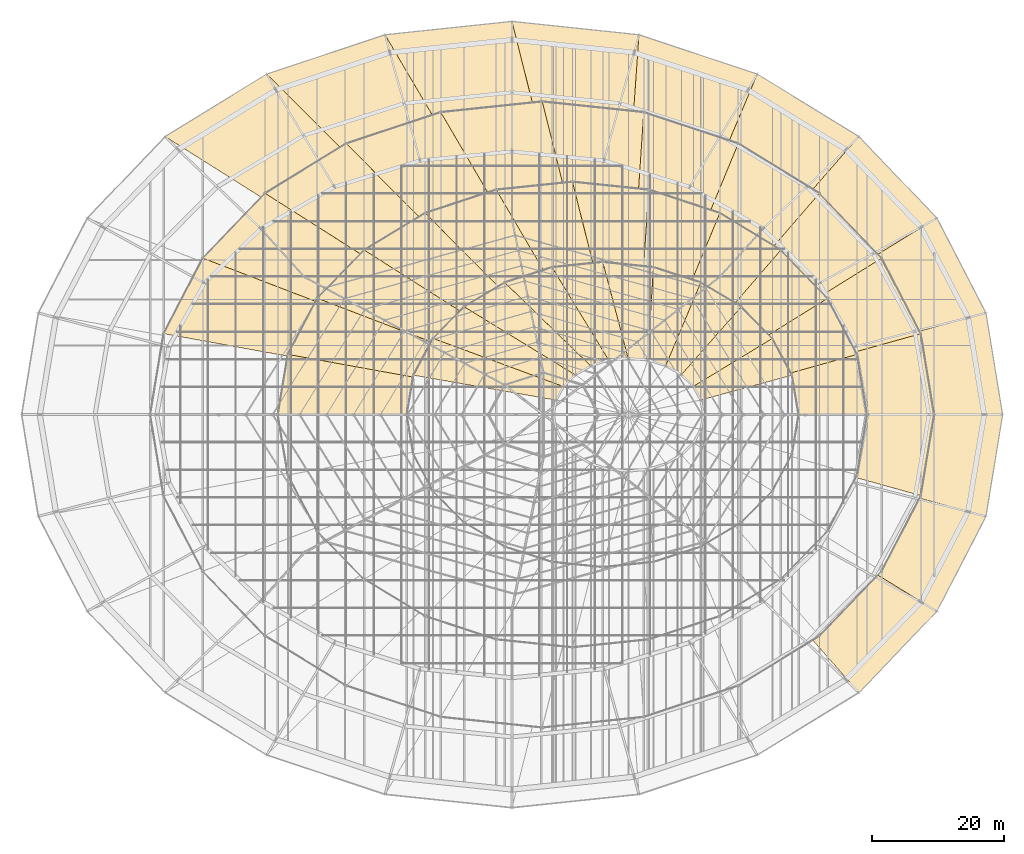
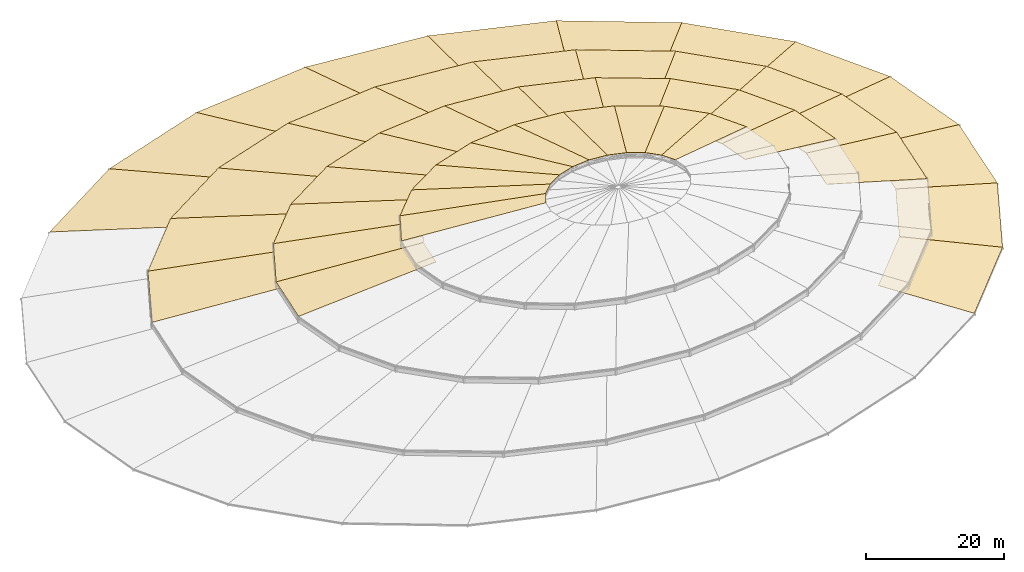
# One storey, part 184 of 184: 46 coverings.
"""IFC4 building model written with IfcOpenShell, lengths in metres."""

from ifc_helpers import new_model, si_unit, direction, frame, origin, place, context, subcontext, project, spatial, polyline, outline, extrude, material, layer, layer_set, type_object, element, save


model = new_model("IFC4")

# Units and contexts
model_context = context("Model", 3, precision=1e-05, world=origin(), true_north=direction((0.0, 1.0)))
body_context = subcontext(model_context, "Body", "Model", "MODEL_VIEW")
ifc_project = project(units=[si_unit("LENGTHUNIT", "METRE"), si_unit("AREAUNIT", "SQUARE_METRE"), si_unit("VOLUMEUNIT", "CUBIC_METRE"), si_unit("PLANEANGLEUNIT", "RADIAN"), si_unit("MASSUNIT", "GRAM", prefix="KILO")], contexts=[model_context])

# Site, building, storey
site_placement = place(None, origin())
site = spatial("IfcSite", under=ifc_project, at=site_placement, CompositionType="ELEMENT")
building_placement = place(site_placement, origin())
building = spatial("IfcBuilding", under=site, at=building_placement, Name="Kalgoora Escarpment Arena", CompositionType="ELEMENT")
storey_placement = place(building_placement, frame((0.0, 0.0, 27.60009765625)))
storey = spatial("IfcBuildingStorey", under=building, at=storey_placement, Name="Roof Level", CompositionType="ELEMENT", Elevation=27.60009765625)

# Coverings
ifc_material_1 = material(Name="Smooth white PTFE acoustic roofing membrane")
ifc_layer_1 = layer(ifc_material_1, 0.050048828125)
ifc_layer_set_1 = layer_set([ifc_layer_1], Name="COV-PETAL-RP1")
covering_type_1 = type_object("IfcCoveringType", Name="COV-PETAL-RP1", PredefinedType="ROOFING", material=ifc_layer_set_1)
covering_1_placement = place(storey_placement, frame((167.0, 64.0, -0.7900390625), z_axis=(0.104052314651, 0.017087649176, 0.994425023851), x_axis=(-0.162068544886, 0.986779502602, 1.87573e-06)))
element("IfcCovering", 1, at=covering_1_placement, inside=storey, type_object=covering_type_1, Name="Smooth white acoustic roofing petal RP1 sector 01", PredefinedType="ROOFING", context=body_context, shape_type="SweptSolid", body=[
    extrude(outline(polyline([(0.0, 0.0), (15.684654359568572, 8.881784197001252e-16), (14.072432195013098, 15.181256234020731), (2.4780373830079494, 15.172480236657861), (0.0, 0.0)])), origin(), (0.0, 0.0, -1.0), 0.050048828125),
])
covering_2_placement = place(storey_placement, frame((164.4580078125, 79.477294921875, -0.7900390625), z_axis=(0.095131878321, 0.049148417152, 0.994250651908), x_axis=(-0.459054017393, 0.888408357158, 6.845745e-06)))
element("IfcCovering", 2, at=covering_2_placement, inside=storey, type_object=covering_type_1, Name="Smooth white acoustic roofing petal RP1 sector 02", PredefinedType="ROOFING", context=body_context, shape_type="SweptSolid", body=[
    extrude(outline(polyline([(0.0, 0.0), (16.234215717783297, 0.0), (15.142960008564634, 14.96515976467239), (3.1315717002402303, 14.941885227706067), (0.0, 0.0)])), origin(), (0.0, 0.0, -1.0), 0.050048828125),
])
covering_3_placement = place(storey_placement, frame((157.005615234375, 93.89990234375, -0.7900390625), z_axis=(0.078795970233, 0.075421156627, 0.994033623278), x_axis=(-0.691494501752, 0.722381723212, 4.139784e-06)))
element("IfcCovering", 3, at=covering_3_placement, inside=storey, type_object=covering_type_1, Name="Smooth white acoustic roofing petal RP1 sector 03", PredefinedType="ROOFING", context=body_context, shape_type="SweptSolid", body=[
    extrude(outline(polyline([(0.0, 0.0), (17.144696152797664, 0.0), (15.86061643360061, 14.698320332189175), (3.1598406787318796, 14.668116870345637), (0.0, 0.0)])), origin(), (0.0, 0.0, -1.0), 0.050048828125),
])
covering_4_placement = place(storey_placement, frame((145.150146484375, 106.284912109375, -0.7900390625), z_axis=(0.057616347654, 0.093667513545, 0.993934984488), x_axis=(-0.851766365315, 0.523921806109, 1.221562e-06)))
element("IfcCovering", 4, at=covering_4_placement, inside=storey, type_object=covering_type_1, Name="Smooth white acoustic roofing petal RP1 sector 04", PredefinedType="ROOFING", context=body_context, shape_type="SweptSolid", body=[
    extrude(outline(polyline([(0.0, 0.0), (18.13900461113179, 1.7763568394002505e-15), (15.90731856282209, 14.576867671757682), (2.454348249397324, 14.548357563897994), (0.0, 0.0)])), origin(), (0.0, 0.0, -1.0), 0.050048828125),
])
covering_5_placement = place(storey_placement, frame((129.699951171875, 115.788330078125, -0.7900390625), z_axis=(0.034292129019, 0.103274544855, 0.9940615767), x_axis=(-0.949049670797, 0.31512651802, 3.88343e-07)))
element("IfcCovering", 5, at=covering_5_placement, inside=storey, type_object=covering_type_1, Name="Smooth white acoustic roofing petal RP1 sector 05", PredefinedType="ROOFING", context=body_context, shape_type="SweptSolid", body=[
    extrude(outline(polyline([(0.0, 0.0), (18.95785190072156, 0.0), (15.214689120247657, 14.72210185245467), (1.1426753038905406, 14.702027802147654), (0.0, 0.0)])), origin(), (0.0, 0.0, -1.0), 0.050048828125),
])
covering_6_placement = place(storey_placement, frame((111.7080078125, 121.762451171875, -0.7900390625), z_axis=(0.011067616986, 0.104810750796, 0.994430598067), x_axis=(-0.994477643907, 0.10494863374, 6.790385e-06)))
element("IfcCovering", 6, at=covering_6_placement, inside=storey, type_object=covering_type_1, Name="Smooth white acoustic roofing petal RP1 sector 06", PredefinedType="ROOFING", context=body_context, shape_type="SweptSolid", body=[
    extrude(outline(polyline([(0.0, 0.0), (19.415322324997664, 0.0), (13.889561285211547, 15.188185890243311), (-0.5279422921764919, 15.181099829707271), (0.0, 0.0)])), origin(), (0.0, 0.0, -1.0), 0.050048828125),
])
covering_7_placement = place(storey_placement, frame((92.39990234375, 123.800048828125, -0.7900390625), z_axis=(-0.010491653107, 0.099409761678, 0.994991268554), x_axis=(-0.994477573238, -0.104949303604, -7.32128e-07)))
element("IfcCovering", 7, at=covering_7_placement, inside=storey, type_object=covering_type_1, Name="Smooth white acoustic roofing petal RP1 sector 07", PredefinedType="ROOFING", context=body_context, shape_type="SweptSolid", body=[
    extrude(outline(polyline([(0.0, 0.0), (19.415079533049983, 4.440892098500626e-16), (12.166159082278318, 15.997399780069102), (-2.251344484602927, 16.00447900016906), (0.0, 0.0)])), origin(), (0.0, 0.0, -1.0), 0.050048828125),
])
covering_8_placement = place(storey_placement, frame((73.092041015625, 121.762451171875, -0.7900390625), z_axis=(-0.029353799542, 0.088418400294, 0.995650812756), x_axis=(-0.949049824071, -0.315126056377, 4.744138e-06)))
element("IfcCovering", 8, at=covering_8_placement, inside=storey, type_object=covering_type_1, Name="Smooth white acoustic roofing petal RP1 sector 08", PredefinedType="ROOFING", context=body_context, shape_type="SweptSolid", body=[
    extrude(outline(polyline([(0.0, 0.0), (18.957851900507794, -8.881784197001252e-16), (10.393543190108462, 17.153641303879137), (-3.67847062683485, 17.17366717575223), (0.0, 0.0)])), origin(), (0.0, 0.0, -1.0), 0.050048828125),
])
covering_9_placement = place(storey_placement, frame((55.10009765625, 115.788330078125, -0.7900390625), z_axis=(-0.044931495124, 0.073062667199, 0.996314713034), x_axis=(-0.851766794557, -0.52392110821, 7.947279e-06)))
element("IfcCovering", 9, at=covering_9_placement, inside=storey, type_object=covering_type_1, Name="Smooth white acoustic roofing petal RP1 sector 09", PredefinedType="ROOFING", context=body_context, shape_type="SweptSolid", body=[
    extrude(outline(polyline([(0.0, 0.0), (18.13900461056842, 0.0), (9.023992556076891, 18.62574659200833), (-4.429185709682513, 18.65429100593836), (0.0, 0.0)])), origin(), (0.0, 0.0, -1.0), 0.050048828125),
])
covering_10_placement = place(storey_placement, frame((145.150146484375, 21.715087890625, -0.7900390625), z_axis=(0.078630638195, -0.075273838331, 0.994057881615), x_axis=(0.691495124112, 0.722381127463, 3.719385e-06)))
element("IfcCovering", 10, at=covering_10_placement, inside=storey, type_object=covering_type_1, Name="Smooth white acoustic roofing petal RP1 sector 22", PredefinedType="ROOFING", context=body_context, shape_type="SweptSolid", body=[
    extrude(outline(polyline([(0.0, 0.0), (17.144696152826334, -1.7763568394002505e-15), (13.984855474042398, 14.667771039792985), (1.2840797192522444, 14.697947897830316), (0.0, 0.0)])), origin(), (0.0, 0.0, -1.0), 0.050048828125),
])
covering_11_placement = place(storey_placement, frame((157.005615234375, 34.10009765625, -0.7900390625), z_axis=(0.094977949568, -0.049078395572, 0.994268826919), x_axis=(0.459054821385, 0.888407941748, 1.559659e-06)))
element("IfcCovering", 11, at=covering_11_placement, inside=storey, type_object=covering_type_1, Name="Smooth white acoustic roofing petal RP1 sector 23", PredefinedType="ROOFING", context=body_context, shape_type="SweptSolid", body=[
    extrude(outline(polyline([(0.0, 0.0), (16.234215718148132, 8.881784197001252e-16), (13.102644017248602, 14.941624019542768), (1.0912557099238172, 14.964872422346117), (0.0, 0.0)])), origin(), (0.0, 0.0, -1.0), 0.050048828125),
])
covering_12_placement = place(storey_placement, frame((164.4580078125, 48.522705078125, -0.7900390625), z_axis=(0.103996183093, -0.017087431097, 0.994430899359), x_axis=(0.162069468687, 0.986779350854, 6.95677e-06)))
element("IfcCovering", 12, at=covering_12_placement, inside=storey, type_object=covering_type_1, Name="Smooth white acoustic roofing petal RP1 sector 24", PredefinedType="ROOFING", context=body_context, shape_type="SweptSolid", body=[
    extrude(outline(polyline([(0.0, 0.0), (15.68465435921267, -4.440892098500626e-16), (13.206616976860298, 15.172403024072244), (1.6122221638802512, 15.18115328841765), (0.0, 0.0)])), origin(), (0.0, 0.0, -1.0), 0.050048828125),
])
ifc_material_2 = material(Name="Smooth white PTFE acoustic roofing membrane")
ifc_layer_2 = layer(ifc_material_2, 0.054931640625)
ifc_layer_set_2 = layer_set([ifc_layer_2], Name="COV-PETAL-RP2")
covering_type_2 = type_object("IfcCoveringType", Name="COV-PETAL-RP2", PredefinedType="ROOFING", material=ifc_layer_set_2)
covering_13_placement = place(storey_placement, frame((156.60009765625, 64.0, 1.5048828125), z_axis=(0.105421810491, 0.017388714844, 0.994275552585), x_axis=(-0.16266211928, 0.986681830617, -9.045663e-06)))
element("IfcCovering", 13, at=covering_13_placement, inside=storey, type_object=covering_type_2, Name="Smooth white acoustic roofing petal RP2 sector 01", PredefinedType="ROOFING", context=body_context, shape_type="SweptSolid", body=[
    extrude(outline(polyline([(0.0, 0.0), (12.486114430390693, 0.0), (10.851504289950862, 14.992613192047894), (2.4545712024585535, 14.97485042514553), (0.0, 0.0)])), origin(), (0.0, 0.0, -1.0), 0.054931640625),
])
covering_14_placement = place(storey_placement, frame((154.569091796875, 76.31982421875, 1.5048828125), z_axis=(0.096190180621, 0.049890168964, 0.994111875089), x_axis=(-0.460402202802, 0.887710432321, -1.863385e-06)))
element("IfcCovering", 14, at=covering_14_placement, inside=storey, type_object=covering_type_2, Name="Smooth white acoustic roofing petal RP2 sector 02", PredefinedType="ROOFING", context=body_context, shape_type="SweptSolid", body=[
    extrude(outline(polyline([(0.0, 0.0), (12.932396626212665, 8.881784197001252e-16), (11.783693777195127, 14.814209520583681), (3.0650843180266896, 14.766522500876327), (0.0, 0.0)])), origin(), (0.0, 0.0, -1.0), 0.054931640625),
])
covering_15_placement = place(storey_placement, frame((148.614990234375, 87.800048828125, 1.5048828125), z_axis=(0.079369917952, 0.076251969946, 0.993924571184), x_axis=(-0.692821108162, 0.721109500753, 3.153691e-06)))
element("IfcCovering", 15, at=covering_15_placement, inside=storey, type_object=covering_type_2, Name="Smooth white acoustic roofing petal RP2 sector 03", PredefinedType="ROOFING", context=body_context, shape_type="SweptSolid", body=[
    extrude(outline(polyline([(0.0, 0.0), (13.670819194829576, 8.881784197001252e-16), (12.31565972938043, 14.599722533003366), (3.0663641136014883, 14.538270170127182), (0.0, 0.0)])), origin(), (0.0, 0.0, -1.0), 0.054931640625),
])
covering_16_placement = place(storey_placement, frame((139.1435546875, 97.658203125, 1.5048828125), z_axis=(0.05777381515, 0.0942764395, 0.993868270566), x_axis=(-0.852622260432, 0.52252778013, -2.835168e-06)))
element("IfcCovering", 16, at=covering_16_placement, inside=storey, type_object=covering_type_2, Name="Smooth white acoustic roofing petal RP2 sector 04", PredefinedType="ROOFING", context=body_context, shape_type="SweptSolid", body=[
    extrude(outline(polyline([(0.0, 0.0), (14.477112337039932, 8.881784197001252e-16), (12.183985743444552, 14.528994578369439), (2.357467955862507, 14.470963236410858), (0.0, 0.0)])), origin(), (0.0, 0.0, -1.0), 0.054931640625),
])
covering_17_placement = place(storey_placement, frame((126.800048828125, 105.222900390625, 1.5048828125), z_axis=(0.034255935081, 0.103556265717, 0.994033515905), x_axis=(-0.949401641102, 0.314064521829, -7.12342e-07)))
element("IfcCovering", 17, at=covering_17_placement, inside=storey, type_object=covering_type_2, Name="Smooth white acoustic roofing petal RP2 sector 05", PredefinedType="ROOFING", context=body_context, shape_type="SweptSolid", body=[
    extrude(outline(polyline([(0.0, 0.0), (15.140601688595444, -8.881784197001252e-16), (11.3645187301896, 14.710056050426815), (1.0642227204976535, 14.66960084674395), (0.0, 0.0)])), origin(), (0.0, 0.0, -1.0), 0.054931640625),
])
covering_18_placement = place(storey_placement, frame((112.425537109375, 109.97802734375, 1.5048828125), z_axis=(0.011023117734, 0.104857256899, 0.994426189594), x_axis=(-0.994516693809, 0.104577940918, -3.098684e-06)))
element("IfcCovering", 18, at=covering_18_placement, inside=storey, type_object=covering_type_2, Name="Smooth white acoustic roofing petal RP2 sector 06", PredefinedType="ROOFING", context=body_context, shape_type="SweptSolid", body=[
    extrude(outline(polyline([(0.0, 0.0), (15.510586939541106, 4.440892098500626e-16), (9.990683021703953, 15.1903299096659), (-0.5740222030158474, 15.175670243962088), (0.0, 0.0)])), origin(), (0.0, 0.0, -1.0), 0.054931640625),
])
covering_19_placement = place(storey_placement, frame((97.0, 111.60009765625, 1.5048828125), z_axis=(-0.010456140992, 0.099435030244, 0.994989117466), x_axis=(-0.994516658794, -0.104578273942, -6.2886e-08)))
element("IfcCovering", 19, at=covering_19_placement, inside=storey, type_object=covering_type_2, Name="Smooth white acoustic roofing petal RP2 sector 07", PredefinedType="ROOFING", context=body_context, shape_type="SweptSolid", body=[
    extrude(outline(polyline([(0.0, 0.0), (15.510586939616378, 0.0), (8.30742088100284, 15.989006835439323), (-2.2570415415963363, 16.003641322418414), (0.0, 0.0)])), origin(), (0.0, 0.0, -1.0), 0.054931640625),
])
covering_20_placement = place(storey_placement, frame((81.574462890625, 109.97802734375, 1.5048828125), z_axis=(-0.029300287711, 0.088556038701, 0.995640156457), x_axis=(-0.949401457643, -0.314065076372, -5.400349e-06)))
element("IfcCovering", 20, at=covering_20_placement, inside=storey, type_object=covering_type_2, Name="Smooth white acoustic roofing petal RP2 sector 08", PredefinedType="ROOFING", context=body_context, shape_type="SweptSolid", body=[
    extrude(outline(polyline([(0.0, 0.0), (15.140601688376615, 8.881784197001252e-16), (6.651993426241933, 17.112685683064424), (-3.648302584036542, 17.15309053029779), (0.0, 0.0)])), origin(), (0.0, 0.0, -1.0), 0.054931640625),
])
covering_21_placement = place(storey_placement, frame((67.199951171875, 105.222900390625, 1.5048828125), z_axis=(-0.044965055382, 0.073360080176, 0.996291344151), x_axis=(-0.852621848317, -0.522528452568, -5.479778e-06)))
element("IfcCovering", 21, at=covering_21_placement, inside=storey, type_object=covering_type_2, Name="Smooth white acoustic roofing petal RP2 sector 09", PredefinedType="ROOFING", context=body_context, shape_type="SweptSolid", body=[
    extrude(outline(polyline([(0.0, 0.0), (14.477112336879856, -8.881784197001252e-16), (5.452289468444446, 18.537049833211242), (-4.37443647925772, 18.595087321893185), (0.0, 0.0)])), origin(), (0.0, 0.0, -1.0), 0.054931640625),
])
covering_22_placement = place(storey_placement, frame((54.8564453125, 97.658203125, 1.5048828125), z_axis=(-0.057083317977, 0.054841183624, 0.996862046317), x_axis=(-0.692821242594, -0.721109371598, -2.050265e-06)))
element("IfcCovering", 22, at=covering_22_placement, inside=storey, type_object=covering_type_2, Name="Smooth white acoustic roofing petal RP2 sector 10", PredefinedType="ROOFING", context=body_context, shape_type="SweptSolid", body=[
    extrude(outline(polyline([(0.0, 0.0), (13.67081919486948, -8.881784197001252e-16), (5.186544685178327, 20.15230750959058), (-4.062581784653969, 20.21339789693581), (0.0, 0.0)])), origin(), (0.0, 0.0, -1.0), 0.054931640625),
])
covering_23_placement = place(storey_placement, frame((45.385009765625, 87.800048828125, 1.5048828125), z_axis=(-0.065371900732, 0.03389609458, 0.997285099341), x_axis=(-0.460401536449, -0.887710777889, -7.415182e-06)))
element("IfcCovering", 23, at=covering_23_placement, inside=storey, type_object=covering_type_2, Name="Smooth white acoustic roofing petal RP2 sector 11", PredefinedType="ROOFING", context=body_context, shape_type="SweptSolid", body=[
    extrude(outline(polyline([(0.0, 0.0), (12.9323966258779, 0.0), (6.266937019591892, 21.68038702830103), (-2.451672440471758, 21.72793861057436), (0.0, 0.0)])), origin(), (0.0, 0.0, -1.0), 0.054931640625),
])
covering_24_placement = place(storey_placement, frame((154.569091796875, 51.68017578125, 1.5048828125), z_axis=(0.105304202146, -0.017357440316, 0.994288561875), x_axis=(0.162660883227, 0.986682034427, -2.61494e-06)))
element("IfcCovering", 24, at=covering_24_placement, inside=storey, type_object=covering_type_2, Name="Smooth white acoustic roofing petal RP2 sector 24", PredefinedType="ROOFING", context=body_context, shape_type="SweptSolid", body=[
    extrude(outline(polyline([(0.0, 0.0), (12.486114430864243, 2.220446049250313e-16), (10.031543227551682, 14.974641855361412), (1.6346101413249385, 14.992430701220096), (0.0, 0.0)])), origin(), (0.0, 0.0, -1.0), 0.054931640625),
])
ifc_material_3 = material(Name="Smooth white PTFE acoustic roofing membrane")
ifc_layer_3 = layer(ifc_material_3, 0.06005859375)
ifc_layer_set_3 = layer_set([ifc_layer_3], Name="COV-PETAL-RP3")
covering_type_3 = type_object("IfcCoveringType", Name="COV-PETAL-RP3", PredefinedType="ROOFING", material=ifc_layer_set_3)
covering_25_placement = place(storey_placement, frame((146.39990234375, 64.0, 3.9599609375), z_axis=(0.105414275221, 0.01756228592, 0.994273300805), x_axis=(-0.164330865218, 0.986405275095, -7.16524e-07)))
element("IfcCovering", 25, at=covering_25_placement, inside=storey, type_object=covering_type_3, Name="Smooth white acoustic roofing petal RP3 sector 01", PredefinedType="ROOFING", context=body_context, shape_type="SweptSolid", body=[
    extrude(outline(polyline([(0.0, 0.0), (9.288382259063994, 2.220446049250313e-16), (7.679042867199367, 14.995660249201254), (2.479725933111864, 14.97043335937472), (0.0, 0.0)])), origin(), (0.0, 0.0, -1.0), 0.06005859375),
])
covering_26_placement = place(storey_placement, frame((144.87353515625, 73.162109375, 3.9599609375), z_axis=(0.096053917647, 0.050339780224, 0.994102384783), x_axis=(-0.464281321258, 0.885687786195, 1.0774839e-05)))
element("IfcCovering", 26, at=covering_26_placement, inside=storey, type_object=covering_type_3, Name="Smooth white acoustic roofing petal RP3 sector 02", PredefinedType="ROOFING", context=body_context, shape_type="SweptSolid", body=[
    extrude(outline(polyline([(0.0, 0.0), (9.639793152422758, 8.881784197001252e-16), (8.555548694044752, 14.819278326644936), (3.1294082326829127, 14.753237052072523), (0.0, 0.0)])), origin(), (0.0, 0.0, -1.0), 0.06005859375),
])
covering_27_placement = place(storey_placement, frame((140.39794921875, 81.699951171875, 3.9599609375), z_axis=(0.07904534036, 0.076747284287, 0.993912314302), x_axis=(-0.696662011589, 0.717399499246, 9.480218e-06)))
element("IfcCovering", 27, at=covering_27_placement, inside=storey, type_object=covering_type_3, Name="Smooth white acoustic roofing petal RP3 sector 03", PredefinedType="ROOFING", context=body_context, shape_type="SweptSolid", body=[
    extrude(outline(polyline([(0.0, 0.0), (10.219620250079561, -8.881784197001252e-16), (8.9418102009553, 14.60680519871799), (3.1434943852338892, 14.521761264429895), (0.0, 0.0)])), origin(), (0.0, 0.0, -1.0), 0.06005859375),
])
covering_28_placement = place(storey_placement, frame((133.2783203125, 89.031494140625, 3.9599609375), z_axis=(0.057374716891, 0.094610680556, 0.993859628412), x_axis=(-0.855094904859, 0.518471507048, 7.934672e-06)))
element("IfcCovering", 28, at=covering_28_placement, inside=storey, type_object=covering_type_3, Name="Smooth white acoustic roofing petal RP3 sector 04", PredefinedType="ROOFING", context=body_context, shape_type="SweptSolid", body=[
    extrude(outline(polyline([(0.0, 0.0), (10.850626391890065, -8.881784197001252e-16), (8.62613970745181, 14.539931978837375), (2.425572505529433, 14.459515830005774), (0.0, 0.0)])), origin(), (0.0, 0.0, -1.0), 0.06005859375),
])
covering_29_placement = place(storey_placement, frame((124.0, 94.6572265625, 3.9599609375), z_axis=(0.033932607406, 0.103672080645, 0.994032533597), x_axis=(-0.950385152772, 0.311075652196, -8.18713e-07)))
element("IfcCovering", 29, at=covering_29_placement, inside=storey, type_object=covering_type_3, Name="Smooth white acoustic roofing petal RP3 sector 05", PredefinedType="ROOFING", context=body_context, shape_type="SweptSolid", body=[
    extrude(outline(polyline([(0.0, 0.0), (11.369003321278827, 4.440892098500626e-16), (7.639104349312158, 14.722260612928144), (1.1101001251096072, 14.6661738526378), (0.0, 0.0)])), origin(), (0.0, 0.0, -1.0), 0.06005859375),
])
covering_30_placement = place(storey_placement, frame((113.195068359375, 98.19384765625, 3.9599609375), z_axis=(0.010912713948, 0.104854791505, 0.99442766724), x_axis=(-0.994633841857, 0.103457820364, 6.140633e-06)))
element("IfcCovering", 30, at=covering_30_placement, inside=storey, type_object=covering_type_3, Name="Smooth white acoustic roofing petal RP3 sector 06", PredefinedType="ROOFING", context=body_context, shape_type="SweptSolid", body=[
    extrude(outline(polyline([(0.0, 0.0), (11.657526045880655, -2.220446049250313e-16), (6.154678138084996, 15.19631777820488), (-0.5567934633288022, 15.176545002581774), (0.0, 0.0)])), origin(), (0.0, 0.0, -1.0), 0.06005859375),
])
covering_31_placement = place(storey_placement, frame((101.60009765625, 99.39990234375, 3.9599609375), z_axis=(-0.010343032935, 0.09945020635, 0.994988782915), x_axis=(-0.994634144643, -0.103454909545, 1.083818e-06)))
element("IfcCovering", 31, at=covering_31_placement, inside=storey, type_object=covering_type_3, Name="Smooth white acoustic roofing petal RP3 sector 07", PredefinedType="ROOFING", context=body_context, shape_type="SweptSolid", body=[
    extrude(outline(polyline([(0.0, 0.0), (11.657768876667603, 0.0), (4.436422725199965, 15.98109593764493), (-2.275048918219128, 16.000828919246697), (0.0, 0.0)])), origin(), (0.0, 0.0, -1.0), 0.06005859375),
])
covering_32_placement = place(storey_placement, frame((90.0048828125, 98.19384765625, 3.9599609375), z_axis=(-0.029029006408, 0.088705980746, 0.995634755202), x_axis=(-0.950385285732, -0.311075245934, 5.518315e-06)))
element("IfcCovering", 32, at=covering_32_placement, inside=storey, type_object=covering_type_3, Name="Smooth white acoustic roofing petal RP3 sector 08", PredefinedType="ROOFING", context=body_context, shape_type="SweptSolid", body=[
    extrude(outline(polyline([(0.0, 0.0), (11.36900332110806, 0.0), (2.8268265523500773, 17.085872040172866), (-3.702177672292079, 17.141860858716548), (0.0, 0.0)])), origin(), (0.0, 0.0, -1.0), 0.06005859375),
])
covering_33_placement = place(storey_placement, frame((79.199951171875, 94.6572265625, 3.9599609375), z_axis=(-0.044655794555, 0.073657406107, 0.996283316401), x_axis=(-0.855095552594, -0.518470438807, 4.232073e-06)))
element("IfcCovering", 33, at=covering_33_placement, inside=storey, type_object=covering_type_3, Name="Smooth white acoustic roofing petal RP3 sector 09", PredefinedType="ROOFING", context=body_context, shape_type="SweptSolid", body=[
    extrude(outline(polyline([(0.0, 0.0), (10.850626392137976, 8.881784197001252e-16), (1.73814969448938, 18.493949989794153), (-4.462417506795507, 18.57414912670497), (0.0, 0.0)])), origin(), (0.0, 0.0, -1.0), 0.06005859375),
])
covering_34_placement = place(storey_placement, frame((69.921630859375, 89.031494140625, 3.9599609375), z_axis=(-0.056841021335, 0.05520897934, 0.996855589789), x_axis=(-0.696663210635, -0.717398334879, 7.805975e-06)))
element("IfcCovering", 34, at=covering_34_placement, inside=storey, type_object=covering_type_3, Name="Smooth white acoustic roofing petal RP3 sector 10", PredefinedType="ROOFING", context=body_context, shape_type="SweptSolid", body=[
    extrude(outline(polyline([(0.0, 0.0), (10.219620250231122, 8.881784197001252e-16), (1.62817541482082, 20.10669689576331), (-4.17014040051148, 20.19146287650255), (0.0, 0.0)])), origin(), (0.0, 0.0, -1.0), 0.06005859375),
])
covering_35_placement = place(storey_placement, frame((62.802001953125, 81.699951171875, 3.9599609375), z_axis=(-0.065246920599, 0.034200227965, 0.997282900565), x_axis=(-0.464282212994, -0.885687318805, -2.28268e-06)))
element("IfcCovering", 35, at=covering_35_placement, inside=storey, type_object=covering_type_3, Name="Smooth white acoustic roofing petal RP3 sector 11", PredefinedType="ROOFING", context=body_context, shape_type="SweptSolid", body=[
    extrude(outline(polyline([(0.0, 0.0), (9.639793152963742, 0.0), (2.879665107845445, 21.65119852959439), (-2.5464753521299137, 21.717013976878402), (0.0, 0.0)])), origin(), (0.0, 0.0, -1.0), 0.06005859375),
])
covering_36_placement = place(storey_placement, frame((58.326416015625, 73.162109375, 3.9599609375), z_axis=(-0.069582186171, 0.011596615035, 0.997508815945), x_axis=(-0.164331100064, -0.986405235961, 4.455692e-06)))
element("IfcCovering", 36, at=covering_36_placement, inside=storey, type_object=covering_type_3, Name="Smooth white acoustic roofing petal RP3 sector 12", PredefinedType="ROOFING", context=body_context, shape_type="SweptSolid", body=[
    extrude(outline(polyline([(0.0, 0.0), (9.288382258973744, 4.440892098500626e-16), (5.523578320510386, 22.654897706793143), (0.32426138619186035, 22.680039312887583), (0.0, 0.0)])), origin(), (0.0, 0.0, -1.0), 0.06005859375),
])
ifc_material_4 = material(Name="Smooth white PTFE acoustic roofing membrane")
ifc_layer_4 = layer(ifc_material_4, 0.06494140625)
ifc_layer_set_4 = layer_set([ifc_layer_4], Name="COV-PETAL-RP4")
covering_type_4 = type_object("IfcCoveringType", Name="COV-PETAL-RP4", PredefinedType="ROOFING", material=ifc_layer_set_4)
covering_37_placement = place(storey_placement, frame((134.984619140625, 70.004638671875, 6.414794921875), z_axis=(0.086584648487, 0.046055128833, 0.99517939275), x_axis=(-0.469703401775, 0.882824282771, 1.0568804e-05)))
element("IfcCovering", 37, at=covering_37_placement, inside=storey, type_object=covering_type_4, Name="Smooth white acoustic roofing petal RP4 sector 02", PredefinedType="ROOFING", context=body_context, shape_type="SweptSolid", body=[
    extrude(outline(polyline([(0.0, 0.0), (6.338137943862801, -4.440892098500626e-16), (5.534564945431474, 14.31356955274685), (3.220520329392254, 14.277160666061995), (0.0, 0.0)])), origin(), (0.0, 0.0, -1.0), 0.06494140625),
])
covering_38_placement = place(storey_placement, frame((132.007568359375, 75.60009765625, 6.414794921875), z_axis=(0.071464558545, 0.070447418872, 0.994952249129), x_axis=(-0.701986133722, 0.712190612153, -4.885882e-06)))
element("IfcCovering", 38, at=covering_38_placement, inside=storey, type_object=covering_type_4, Name="Smooth white acoustic roofing petal RP4 sector 03", PredefinedType="ROOFING", context=body_context, shape_type="SweptSolid", body=[
    extrude(outline(polyline([(0.0, 0.0), (6.746347233667175, 0.0), (5.781090489249381, 13.999206945221614), (3.2925037923904905, 13.952532146369649), (0.0, 0.0)])), origin(), (0.0, 0.0, -1.0), 0.06494140625),
])
covering_39_placement = place(storey_placement, frame((127.271728515625, 80.40478515625, 6.414794921875), z_axis=(0.052047538158, 0.087132052775, 0.994836197145), x_axis=(-0.85847149263, 0.512861283695, -5.356326e-06)))
element("IfcCovering", 39, at=covering_39_placement, inside=storey, type_object=covering_type_4, Name="Smooth white acoustic roofing petal RP4 sector 04", PredefinedType="ROOFING", context=body_context, shape_type="SweptSolid", body=[
    extrude(outline(polyline([(0.0, 0.0), (7.189094718884388, -4.440892098500626e-16), (5.24295171758143, 13.838998535387049), (2.5670085890887164, 13.79517928203242), (0.0, 0.0)])), origin(), (0.0, 0.0, -1.0), 0.06494140625),
])
covering_40_placement = place(storey_placement, frame((121.10009765625, 84.091796875, 6.414794921875), z_axis=(0.030873007626, 0.095708842347, 0.99493048747), x_axis=(-0.951740910091, 0.306902655516, 9.85647e-06)))
element("IfcCovering", 40, at=covering_40_placement, inside=storey, type_object=covering_type_4, Name="Smooth white acoustic roofing petal RP4 sector 05", PredefinedType="ROOFING", context=body_context, shape_type="SweptSolid", body=[
    extrude(outline(polyline([(0.0, 0.0), (7.551691299065056, 0.0), (4.024754836980777, 13.953962527131504), (1.1964135321992986, 13.9234199251826), (0.0, 0.0)])), origin(), (0.0, 0.0, -1.0), 0.06494140625),
])
covering_41_placement = place(storey_placement, frame((113.912841796875, 86.409423828125, 6.414794921875), z_axis=(0.009917588673, 0.096845122779, 0.995250050806), x_axis=(-0.994788567532, 0.101959334228, -8.400314e-06)))
element("IfcCovering", 41, at=covering_41_placement, inside=storey, type_object=covering_type_4, Name="Smooth white acoustic roofing petal RP4 sector 06", PredefinedType="ROOFING", context=body_context, shape_type="SweptSolid", body=[
    extrude(outline(polyline([(0.0, 0.0), (7.753297058035814, -1.1102230246251565e-16), (2.3545034283358017, 14.39260019407232), (-0.5582458315339377, 14.381648545535096), (0.0, 0.0)])), origin(), (0.0, 0.0, -1.0), 0.06494140625),
])
covering_42_placement = place(storey_placement, frame((106.199951171875, 87.199951171875, 6.414794921875), z_axis=(-0.009397649842, 0.091720156116, 0.995740476801), x_axis=(-0.994788188597, -0.101963031612, 3.408633e-06)))
element("IfcCovering", 42, at=covering_42_placement, inside=storey, type_object=covering_type_4, Name="Smooth white acoustic roofing petal RP4 sector 07", PredefinedType="ROOFING", context=body_context, shape_type="SweptSolid", body=[
    extrude(outline(polyline([(0.0, 0.0), (7.753054190024348, -1.1102230246251565e-16), (0.5322774585150643, 15.17530298650724), (-2.3807146339703196, 15.186289053712267), (0.0, 0.0)])), origin(), (0.0, 0.0, -1.0), 0.06494140625),
])
covering_43_placement = place(storey_placement, frame((98.4873046875, 86.409423828125, 6.414794921875), z_axis=(-0.026297902625, 0.081530115037, 0.996323873376), x_axis=(-0.951741030088, -0.306902283468, -7.040339e-06)))
element("IfcCovering", 43, at=covering_43_placement, inside=storey, type_object=covering_type_4, Name="Smooth white acoustic roofing petal RP4 sector 08", PredefinedType="ROOFING", context=body_context, shape_type="SweptSolid", body=[
    extrude(outline(polyline([(0.0, 0.0), (7.5516912992470875, 0.0), (-1.0871712434975036, 16.312727017298634), (-3.9155125478467414, 16.343222831851158), (0.0, 0.0)])), origin(), (0.0, 0.0, -1.0), 0.06494140625),
])
covering_44_placement = place(storey_placement, frame((91.300048828125, 84.091796875, 6.414794921875), z_axis=(-0.040265214191, 0.067404357508, 0.996912917518), x_axis=(-0.858480193577, -0.512846719045, 1.218486e-06)))
element("IfcCovering", 44, at=covering_44_placement, inside=storey, type_object=covering_type_4, Name="Smooth white acoustic roofing petal RP4 sector 09", PredefinedType="ROOFING", context=body_context, shape_type="SweptSolid", body=[
    extrude(outline(polyline([(0.0, 0.0), (7.189304307771902, 0.0), (-2.09131671412471, 17.789310373465746), (-4.767260601295235, 17.832996053420697), (0.0, 0.0)])), origin(), (0.0, 0.0, -1.0), 0.06494140625),
])
covering_45_placement = place(storey_placement, frame((85.128173828125, 80.40478515625, 6.414794921875), z_axis=(-0.051013713952, 0.050270124756, 0.997431960359), x_axis=(-0.701985325025, -0.712191409221, -8.950563e-06)))
element("IfcCovering", 45, at=covering_45_placement, inside=storey, type_object=covering_type_4, Name="Smooth white acoustic roofing petal RP4 sector 10", PredefinedType="ROOFING", context=body_context, shape_type="SweptSolid", body=[
    extrude(outline(polyline([(0.0, 0.0), (6.74634723347689, 0.0), (-2.0357333674511024, 19.5015656165535), (-4.524320064760753, 19.548134890442324), (0.0, 0.0)])), origin(), (0.0, 0.0, -1.0), 0.06494140625),
])
covering_46_placement = place(storey_placement, frame((80.392333984375, 75.60009765625, 6.414794921875), z_axis=(-0.058321060876, 0.031023938281, 0.99781569897), x_axis=(-0.469704030644, -0.882823948232, -4.972543e-06)))
element("IfcCovering", 46, at=covering_46_placement, inside=storey, type_object=covering_type_4, Name="Smooth white acoustic roofing petal RP4 sector 11", PredefinedType="ROOFING", context=body_context, shape_type="SweptSolid", body=[
    extrude(outline(polyline([(0.0, 0.0), (6.33813794414152, -4.440892098500626e-16), (-0.5555022867921863, 21.158298019817114), (-2.8695469021722086, 21.194604534838255), (0.0, 0.0)])), origin(), (0.0, 0.0, -1.0), 0.06494140625),
])

save(model, "model.ifc")
